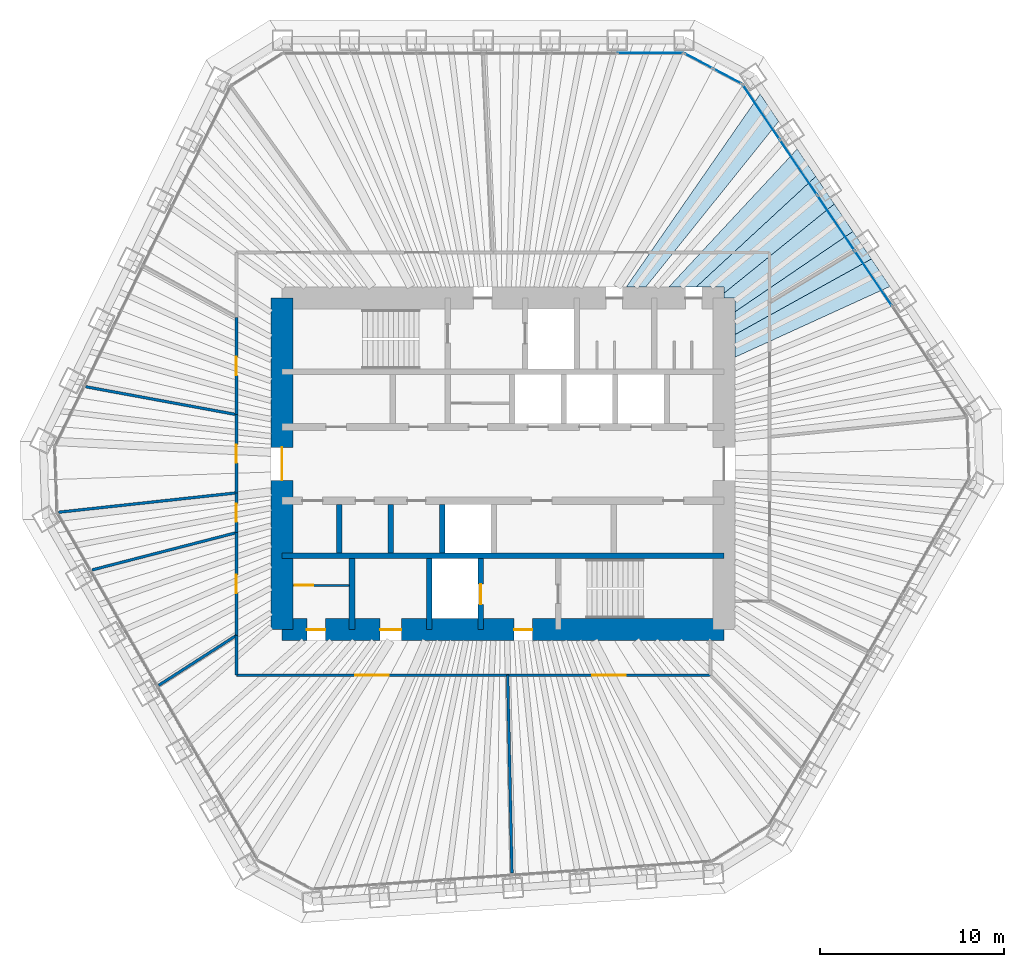
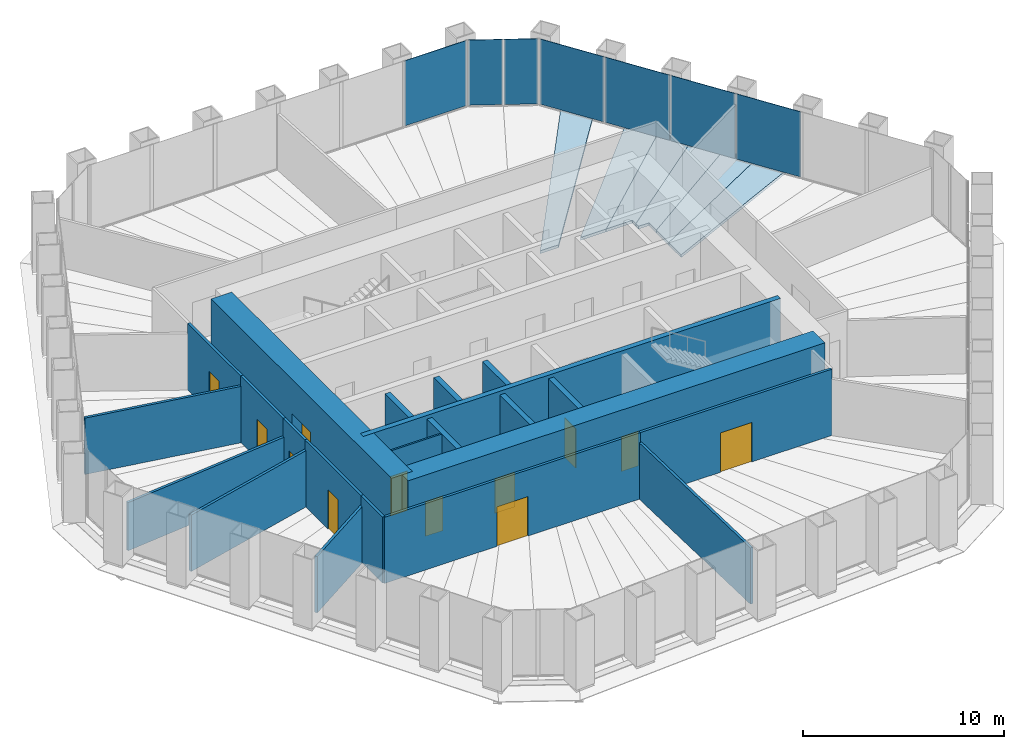
# One storey, part 10 of 13: 22 walls, 12 doors, 7 plates, 6 slabs, 12 openings, 3 elements without a shape of their own.
"""IFC4 building model written with IfcOpenShell, lengths in metres."""

from ifc_helpers import new_model, si_unit, direction, frame, frame_2d, origin, origin_2d, place, context, subcontext, project, spatial, polyline, rectangle, outline, extrude, material, layer, layer_set, type_object, element, fill, aggregate, save


model = new_model("IFC4")

# Units and contexts
model_context = context("Model", 3, precision=1e-05, world=origin(), true_north=direction((0.0, 1.0)))
body_context = subcontext(model_context, "Body", "Model", "MODEL_VIEW")
ifc_project = project(units=[si_unit("LENGTHUNIT", "METRE"), si_unit("AREAUNIT", "SQUARE_METRE"), si_unit("VOLUMEUNIT", "CUBIC_METRE"), si_unit("PLANEANGLEUNIT", "RADIAN"), si_unit("MASSUNIT", "GRAM", prefix="KILO")], contexts=[model_context])

# Site, building, storey
site_placement = place(None, origin())
site = spatial("IfcSite", under=ifc_project, at=site_placement, CompositionType="ELEMENT")
building_placement = place(site_placement, origin())
building = spatial("IfcBuilding", under=site, at=building_placement, Name="Qingtian Harvest Tower", CompositionType="ELEMENT")
storey_placement = place(building_placement, frame((0.0, 0.0, 218.199951171875)))
storey = spatial("IfcBuildingStorey", under=building, at=storey_placement, Name="L47", CompositionType="ELEMENT", Elevation=218.199951171875)

# Slabs
ifc_material_1 = material(Name="Concrete fc' 35 MPa", Category="concrete")
ifc_layer_1 = layer(ifc_material_1, 0.169921875)
ifc_layer_set_1 = layer_set([ifc_layer_1], Name="Composite floor slab FS17 170")
slab_type = type_object("IfcSlabType", Name="Composite floor slab FS17 170", PredefinedType="FLOOR", material=ifc_layer_set_1)
slab_1_placement = place(storey_placement, frame((0.0, 0.0, -0.169921875)))
element("IfcSlab", 1, at=slab_1_placement, inside=storey, type_object=slab_type, Name="Floor slab L47 panel D45", PredefinedType="FLOOR", context=body_context, shape_type="SweptSolid", body=[
    extrude(outline(polyline([(12.60009765625, 7.023681640625), (20.003662109375, 11.125244140625), (21.010986328125, 9.6318359375), (12.60009765625, 5.7900390625), (12.60009765625, 7.023681640625)])), origin(), (0.0, 0.0, 1.0), 0.169921875),
])
slab_2_placement = place(storey_placement, frame((0.0, 0.0, -0.169921875)))
element("IfcSlab", 2, at=slab_2_placement, inside=storey, type_object=slab_type, Name="Floor slab L47 panel D46", PredefinedType="FLOOR", context=body_context, shape_type="SweptSolid", body=[
    extrude(outline(polyline([(12.60009765625, 8.260498046875), (18.997802734375, 12.61669921875), (20.003662109375, 11.125244140625), (12.60009765625, 7.023681640625), (12.60009765625, 8.260498046875)])), origin(), (0.0, 0.0, 1.0), 0.169921875),
])
slab_3_placement = place(storey_placement, frame((0.0, 0.0, -0.169921875)))
element("IfcSlab", 3, at=slab_3_placement, inside=storey, type_object=slab_type, Name="Floor slab L47 panel D47", PredefinedType="FLOOR", context=body_context, shape_type="SweptSolid", body=[
    extrude(outline(polyline([(12.60009765625, 9.0), (12.0, 9.0), (12.0, 9.2666015625), (17.99072265625, 14.109375), (18.997802734375, 12.61669921875), (12.60009765625, 8.260498046875), (12.60009765625, 9.0)])), origin(), (0.0, 0.0, 1.0), 0.169921875),
])
slab_4_placement = place(storey_placement, frame((0.0, 0.0, -0.169921875)))
element("IfcSlab", 4, at=slab_4_placement, inside=storey, type_object=slab_type, Name="Floor slab L47 panel D48", PredefinedType="FLOOR", context=body_context, shape_type="SweptSolid", body=[
    extrude(outline(polyline([(12.0, 9.60009765625), (10.48583984375, 9.60009765625), (16.982177734375, 15.604736328125), (17.99072265625, 14.109375), (12.0, 9.2666015625), (12.0, 9.60009765625)])), origin(), (0.0, 0.0, 1.0), 0.169921875),
])
slab_5_placement = place(storey_placement, frame((0.0, 0.0, -0.169921875)))
element("IfcSlab", 5, at=slab_5_placement, inside=storey, type_object=slab_type, Name="Floor slab L47 panel D49", PredefinedType="FLOOR", context=body_context, shape_type="SweptSolid", body=[
    extrude(outline(polyline([(8.998291015625, 9.60009765625), (15.974853515625, 17.098388671875), (16.982177734375, 15.604736328125), (10.48583984375, 9.60009765625), (8.998291015625, 9.60009765625)])), origin(), (0.0, 0.0, 1.0), 0.169921875),
])
slab_6_placement = place(storey_placement, frame((0.0, 0.0, -0.169921875)))
element("IfcSlab", 6, at=slab_6_placement, inside=storey, type_object=slab_type, Name="Floor slab L47 panel D51", PredefinedType="FLOOR", context=body_context, shape_type="SweptSolid", body=[
    extrude(outline(polyline([(6.6904296875, 9.60009765625), (13.960205078125, 20.085205078125), (14.967529296875, 18.591796875), (7.751220703125, 9.60009765625), (6.6904296875, 9.60009765625)])), origin(), (0.0, 0.0, 1.0), 0.169921875),
])

# Curtain wall, plate
ifc_material_2 = material(Name="Bronze-anodised aluminium curtain wall", Category="aluminium")
curtain_wall_type = type_object("IfcCurtainWallType", Name="Curtain wall CW4 office", PredefinedType="USERDEFINED", material=ifc_material_2)
curtain_wall_1_placement = place(storey_placement, origin())
curtain_wall_1 = element("IfcCurtainWall", 7, at=curtain_wall_1_placement, inside=storey, type_object=curtain_wall_type, Name="Curtain wall CW4 L47 N0-5", ObjectType="RECESSED CURTAIN WALL", PredefinedType="USERDEFINED")
ifc_material_3 = material(Name="Bronze-tinted laminated insulating glass", Category="glass")
ifc_layer_2 = layer(ifc_material_3, 0.030029296875)
ifc_layer_set_2 = layer_set([ifc_layer_2], Name="Glazed panel CWP tinted IGU")
plate_type = type_object("IfcPlateType", Name="Glazed panel CWP tinted IGU", PredefinedType="CURTAIN_PANEL", material=ifc_layer_set_2)
plate_1_placement = place(storey_placement, frame((7.996337890625, 22.300048828125, 0.06494140625), z_axis=(0.0, 0.0, 1.0), x_axis=(1.0, 0.0, 0.0)))
plate_1 = element("IfcPlate", 8, at=plate_1_placement, type_object=plate_type, Name="CW4 panel 6.1", PredefinedType="CURTAIN_PANEL", context=body_context, shape_type="SweptSolid", body=[
    extrude(rectangle(XDim=3.5361328125, YDim=0.030029296875, at=origin_2d()), origin(), (0.0, 0.0, 1.0), 3.965087890625),
])
aggregate(curtain_wall_1, [plate_1])

# Curtain wall, plates
curtain_wall_2_placement = place(storey_placement, origin())
curtain_wall_2 = element("IfcCurtainWall", 9, at=curtain_wall_2_placement, inside=storey, type_object=curtain_wall_type, Name="Curtain wall CW4 L47 NC", ObjectType="RECESSED CURTAIN WALL", PredefinedType="USERDEFINED")
plate_2_placement = place(storey_placement, frame((10.634033203125, 21.8720703125, 0.06494140625), z_axis=(0.0, 0.0, 1.0), x_axis=(0.882947592859, -0.469471562786, 0.0)))
plate_2 = element("IfcPlate", 10, at=plate_2_placement, type_object=plate_type, Name="CW4 panel 1.1", PredefinedType="CURTAIN_PANEL", context=body_context, shape_type="SweptSolid", body=[
    extrude(rectangle(XDim=1.69287109375, YDim=0.030029296875, at=origin_2d()), origin(), (0.0, 0.0, 1.0), 3.965087890625),
])
plate_3_placement = place(storey_placement, frame((12.186279296875, 21.046875, 0.06494140625), z_axis=(0.0, 0.0, 1.0), x_axis=(0.882947592859, -0.469471562786, 0.0)))
plate_3 = element("IfcPlate", 11, at=plate_3_placement, type_object=plate_type, Name="CW4 panel 2.1", PredefinedType="CURTAIN_PANEL", context=body_context, shape_type="SweptSolid", body=[
    extrude(rectangle(XDim=1.69287109375, YDim=0.030029296875, at=origin_2d()), origin(), (0.0, 0.0, 1.0), 3.965087890625),
])
aggregate(curtain_wall_2, [plate_2, plate_3])

curtain_wall_3_placement = place(storey_placement, origin())
curtain_wall_3 = element("IfcCurtainWall", 12, at=curtain_wall_3_placement, inside=storey, type_object=curtain_wall_type, Name="Curtain wall CW4 L47 NE0-5", ObjectType="RECESSED CURTAIN WALL", PredefinedType="USERDEFINED")
plate_4_placement = place(storey_placement, frame((14.01611328125, 19.09912109375, 0.06494140625), z_axis=(0.0, 0.0, 1.0), x_axis=(0.559192903471, -0.829037572555, 0.0)))
plate_4 = element("IfcPlate", 13, at=plate_4_placement, type_object=plate_type, Name="CW4 panel 1.1", PredefinedType="CURTAIN_PANEL", context=body_context, shape_type="SweptSolid", body=[
    extrude(rectangle(XDim=3.5361328125, YDim=0.030029296875, at=origin_2d()), origin(), (0.0, 0.0, 1.0), 3.965087890625),
])
plate_5_placement = place(storey_placement, frame((16.038818359375, 16.100341796875, 0.06494140625), z_axis=(0.0, 0.0, 1.0), x_axis=(0.559192903471, -0.829037572555, 0.0)))
plate_5 = element("IfcPlate", 14, at=plate_5_placement, type_object=plate_type, Name="CW4 panel 2.1", PredefinedType="CURTAIN_PANEL", context=body_context, shape_type="SweptSolid", body=[
    extrude(rectangle(XDim=3.568603515625, YDim=0.030029296875, at=origin_2d()), origin(), (0.0, 0.0, 1.0), 3.965087890625),
])
plate_6_placement = place(storey_placement, frame((18.07080078125, 13.087890625, 0.06494140625), z_axis=(0.0, 0.0, 1.0), x_axis=(0.559192903471, -0.829037572555, 0.0)))
plate_6 = element("IfcPlate", 15, at=plate_6_placement, type_object=plate_type, Name="CW4 panel 3.1", PredefinedType="CURTAIN_PANEL", context=body_context, shape_type="SweptSolid", body=[
    extrude(rectangle(XDim=3.568603515625, YDim=0.030029296875, at=origin_2d()), origin(), (0.0, 0.0, 1.0), 3.965087890625),
])
plate_7_placement = place(storey_placement, frame((20.1025390625, 10.07568359375, 0.06494140625), z_axis=(0.0, 0.0, 1.0), x_axis=(0.559192903471, -0.829037572555, 0.0)))
plate_7 = element("IfcPlate", 16, at=plate_7_placement, type_object=plate_type, Name="CW4 panel 4.1", PredefinedType="CURTAIN_PANEL", context=body_context, shape_type="SweptSolid", body=[
    extrude(rectangle(XDim=3.568603515625, YDim=0.030029296875, at=origin_2d()), origin(), (0.0, 0.0, 1.0), 3.965087890625),
])
aggregate(curtain_wall_3, [plate_4, plate_5, plate_6, plate_7])

# Walls
ifc_material_4 = material(Name="Concrete fc' 70 MPa", Category="concrete")
ifc_layer_3 = layer(ifc_material_4, 0.300048828125)
ifc_layer_set_3 = layer_set([ifc_layer_3], Name="Core inner wall RC5 300")
wall_type_1 = type_object("IfcWallType", Name="Core inner wall RC5 300", PredefinedType="SHEAR", material=ifc_layer_set_3)
wall_1_placement = place(storey_placement, frame((-12.0, -5.0, 0.0), z_axis=(0.0, 0.0, 1.0), x_axis=(1.0, 0.0, 0.0)))
element("IfcWall", 17, at=wall_1_placement, inside=storey, type_object=wall_type_1, Name="Core wall IS5 L47", PredefinedType="SHEAR", context=body_context, shape_type="SweptSolid", body=[
    extrude(rectangle(XDim=24.0, YDim=0.300048828125, at=frame_2d((12.0, 0.0))), origin(), (0.0, 0.0, 1.0), 4.199951171875),
])
ifc_material_5 = material(Name="Precast concrete shaft panel", Category="concrete")
ifc_layer_4 = layer(ifc_material_5, 0.300048828125)
ifc_layer_set_4 = layer_set([ifc_layer_4], Name="Core shaft partition SW1 300")
wall_type_2 = type_object("IfcWallType", Name="Core shaft partition SW1 300", PredefinedType="PARTITIONING", material=ifc_layer_set_4)
for number, where, z_axis, x_axis, name in (
    (18, (-8.89990234375, -4.85009765625, 0.0), (0.0, 0.0, 1.0), (0.0, 1.0, 0.0), "Core shaft partition XB1 L47"),
    (19, (-6.10009765625, -4.85009765625, 0.0), (0.0, 0.0, 1.0), (0.0, 1.0, 0.0), "Core shaft partition XB2 L47"),
    (20, (-3.300048828125, -4.85009765625, 0.0), (0.0, 0.0, 1.0), (0.0, 1.0, 0.0), "Core shaft partition XB3 L47"),
):
    element("IfcWall", number, at=place(storey_placement, frame(where, z_axis=z_axis, x_axis=x_axis)), inside=storey, type_object=wall_type_2, Name=name, PredefinedType="PARTITIONING", context=body_context, shape_type="SweptSolid", body=[
        extrude(rectangle(XDim=2.650146484375, YDim=0.300048828125, at=frame_2d((1.3251953125, 0.0))), origin(), (0.0, 0.0, 1.0), 3.97998046875),
    ])
for number, where, z_axis, x_axis, name in (
    (21, (-8.199951171875, -9.0, 0.0), (0.0, 0.0, 1.0), (0.0, 1.0, 0.0), "Core shaft partition XS1 L47"),
    (22, (-4.0, -9.0, 0.0), (0.0, 0.0, 1.0), (0.0, 1.0, 0.0), "Core shaft partition XS2 L47"),
):
    element("IfcWall", number, at=place(storey_placement, frame(where, z_axis=z_axis, x_axis=x_axis)), inside=storey, type_object=wall_type_2, Name=name, PredefinedType="PARTITIONING", context=body_context, shape_type="SweptSolid", body=[
        extrude(rectangle(XDim=3.85009765625, YDim=0.300048828125, at=frame_2d((1.925048828125, 0.0))), origin(), (0.0, 0.0, 1.0), 3.97998046875),
    ])

# Wall, opening, door
wall_2_placement = place(storey_placement, frame((-1.199951171875, -9.0, 0.0), z_axis=(0.0, 0.0, 1.0), x_axis=(0.0, 1.0, 0.0)))
wall_2 = element("IfcWall", 23, at=wall_2_placement, inside=storey, type_object=wall_type_2, Name="Core shaft partition XS3 L47", PredefinedType="PARTITIONING", context=body_context, shape_type="SweptSolid", body=[
    extrude(rectangle(XDim=3.85009765625, YDim=0.300048828125, at=frame_2d((1.925048828125, 0.0))), origin(), (0.0, 0.0, 1.0), 3.97998046875),
])
opening_1_placement = place(wall_2_placement, frame((1.375, 0.0, 0.0)))
opening_1 = element("IfcOpeningElement", 24, at=opening_1_placement, cuts=wall_2, Name="Opening LD1", PredefinedType="OPENING", context=body_context, shape_type="SweptSolid", body=[
    extrude(rectangle(XDim=1.10009765625, YDim=2.39990234375, at=frame_2d((0.550048828125, 1.199951171875))), frame((0.0, 0.159912109375, 0.0), z_axis=(0.0, -1.0, 0.0), x_axis=(1.0, 0.0, 0.0)), (0.0, 0.0, 1.0), 0.320068359375),
])
ifc_material_6 = material(Name="Stainless steel lift landing door", Category="steel")
door_type_1 = type_object("IfcDoorType", Name="Lift landing door LD1 1 HR", OperationType="DOUBLE_DOOR_SLIDING", PredefinedType="DOOR", material=ifc_material_6)
door_1_placement = place(opening_1_placement, origin())
door_1 = element("IfcDoor", 25, at=door_1_placement, inside=storey, type_object=door_type_1, Name="FL2 landing door L47", OperationType="DOUBLE_DOOR_SLIDING", OverallHeight=2.39990234375, OverallWidth=1.10009765625, PredefinedType="DOOR", context=body_context, shape_type="SweptSolid", body=[
    extrude(rectangle(XDim=1.10009765625, YDim=2.39990234375, at=frame_2d((0.550048828125, 1.199951171875))), frame((0.0, 0.02490234375, 0.0), z_axis=(0.0, -1.0, 0.0), x_axis=(1.0, 0.0, 0.0)), (0.0, 0.0, 1.0), 0.050048828125),
])
fill(opening_1, door_1)

# Wall, openings, doors
ifc_material_7 = material(Name="Concrete fc' 70 MPa", Category="concrete")
ifc_layer_5 = layer(ifc_material_7, 1.199951171875)
ifc_layer_set_5 = layer_set([ifc_layer_5], Name="Core wall RC2 1200")
wall_type_3 = type_object("IfcWallType", Name="Core wall RC2 1200", PredefinedType="SHEAR", material=ifc_layer_set_5)
wall_3_placement = place(storey_placement, frame((-12.0, -9.0, 0.0), z_axis=(0.0, 0.0, 1.0), x_axis=(1.0, 0.0, 0.0)))
wall_3 = element("IfcWall", 26, at=wall_3_placement, inside=storey, type_object=wall_type_3, Name="Core wall CS L47", PredefinedType="SHEAR", context=body_context, shape_type="SweptSolid", body=[
    extrude(rectangle(XDim=24.0, YDim=1.199951171875, at=frame_2d((12.0, 0.0))), origin(), (0.0, 0.0, 1.0), 4.199951171875),
])
opening_2_placement = place(wall_3_placement, frame((1.35009765625, 0.0, 0.0)))
opening_2 = element("IfcOpeningElement", 27, at=opening_2_placement, cuts=wall_3, Name="Opening FD1", PredefinedType="OPENING", context=body_context, shape_type="SweptSolid", body=[
    extrude(rectangle(XDim=1.0, YDim=2.10009765625, at=frame_2d((0.5, 1.050048828125))), frame((0.0, 0.60986328125, 0.0), z_axis=(0.0, -1.0, 0.0), x_axis=(1.0, 0.0, 0.0)), (0.0, 0.0, 1.0), 1.219970703125),
])
opening_3_placement = place(wall_3_placement, frame((5.324951171875, 0.0, 0.0)))
opening_3 = element("IfcOpeningElement", 28, at=opening_3_placement, cuts=wall_3, Name="Opening AD1", PredefinedType="OPENING", context=body_context, shape_type="SweptSolid", body=[
    extrude(rectangle(XDim=1.14990234375, YDim=2.10009765625, at=frame_2d((0.574951171875, 1.050048828125))), frame((0.0, 0.60986328125, 0.0), z_axis=(0.0, -1.0, 0.0), x_axis=(1.0, 0.0, 0.0)), (0.0, 0.0, 1.0), 1.219970703125),
])
opening_4_placement = place(wall_3_placement, frame((12.60009765625, 0.0, 0.0)))
opening_4 = element("IfcOpeningElement", 29, at=opening_4_placement, cuts=wall_3, Name="Opening FD1", PredefinedType="OPENING", context=body_context, shape_type="SweptSolid", body=[
    extrude(rectangle(XDim=1.0, YDim=2.10009765625, at=frame_2d((0.5, 1.050048828125))), frame((0.0, 0.60986328125, 0.0), z_axis=(0.0, -1.0, 0.0), x_axis=(1.0, 0.0, 0.0)), (0.0, 0.0, 1.0), 1.219970703125),
])
ifc_material_8 = material(Name="Laminated timber door leaf", Category="wood")
door_type_2 = type_object("IfcDoorType", Name="Accessible WC door AD1 single", OperationType="SINGLE_SWING_LEFT", PredefinedType="DOOR", material=ifc_material_8)
door_2_placement = place(opening_3_placement, origin())
door_2 = element("IfcDoor", 30, at=door_2_placement, inside=storey, type_object=door_type_2, Name="AWC door L47", OperationType="SINGLE_SWING_LEFT", OverallHeight=2.10009765625, OverallWidth=1.14990234375, PredefinedType="DOOR", context=body_context, shape_type="SweptSolid", body=[
    extrude(rectangle(XDim=1.14990234375, YDim=2.10009765625, at=frame_2d((0.574951171875, 1.050048828125))), frame((0.0, 0.02490234375, 0.0), z_axis=(0.0, -1.0, 0.0), x_axis=(1.0, 0.0, 0.0)), (0.0, 0.0, 1.0), 0.050048828125),
])
fill(opening_3, door_2)
ifc_material_9 = material(Name="Steel-faced door leaf", Category="steel")
door_type_3 = type_object("IfcDoorType", Name="Fire door FD1 single 1 HR", OperationType="SINGLE_SWING_LEFT", PredefinedType="DOOR", material=ifc_material_9)
door_3_placement = place(opening_2_placement, origin())
door_3 = element("IfcDoor", 31, at=door_3_placement, inside=storey, type_object=door_type_3, Name="CLN door L47", OperationType="SINGLE_SWING_LEFT", OverallHeight=2.10009765625, OverallWidth=1.0, PredefinedType="DOOR", context=body_context, shape_type="SweptSolid", body=[
    extrude(rectangle(XDim=1.0, YDim=2.10009765625, at=frame_2d((0.5, 1.050048828125))), frame((0.0, 0.02490234375, 0.0), z_axis=(0.0, -1.0, 0.0), x_axis=(1.0, 0.0, 0.0)), (0.0, 0.0, 1.0), 0.050048828125),
])
fill(opening_2, door_3)
door_4_placement = place(opening_4_placement, origin())
door_4 = element("IfcDoor", 32, at=door_4_placement, inside=storey, type_object=door_type_3, Name="V2 door L47", OperationType="SINGLE_SWING_LEFT", OverallHeight=2.10009765625, OverallWidth=1.0, PredefinedType="DOOR", context=body_context, shape_type="SweptSolid", body=[
    extrude(rectangle(XDim=1.0, YDim=2.10009765625, at=frame_2d((0.5, 1.050048828125))), frame((0.0, 0.02490234375, 0.0), z_axis=(0.0, -1.0, 0.0), x_axis=(1.0, 0.0, 0.0)), (0.0, 0.0, 1.0), 0.050048828125),
])
fill(opening_4, door_4)

# Wall, opening, door
wall_4_placement = place(storey_placement, frame((-12.0, -9.0, 0.0), z_axis=(0.0, 0.0, 1.0), x_axis=(0.0, 1.0, 0.0)))
wall_4 = element("IfcWall", 33, at=wall_4_placement, inside=storey, type_object=wall_type_3, Name="Core wall CW L47", PredefinedType="SHEAR", context=body_context, shape_type="SweptSolid", body=[
    extrude(rectangle(XDim=18.0, YDim=1.199951171875, at=frame_2d((9.0, 0.0))), origin(), (0.0, 0.0, 1.0), 4.199951171875),
])
opening_5_placement = place(wall_4_placement, frame((8.10009765625, 0.0, 0.0)))
opening_5 = element("IfcOpeningElement", 34, at=opening_5_placement, cuts=wall_4, Name="Opening FD2", PredefinedType="OPENING", context=body_context, shape_type="SweptSolid", body=[
    extrude(rectangle(XDim=1.800048828125, YDim=2.10009765625, at=frame_2d((0.89990234375, 1.050048828125))), frame((0.0, 0.60986328125, 0.0), z_axis=(0.0, -1.0, 0.0), x_axis=(1.0, 0.0, 0.0)), (0.0, 0.0, 1.0), 1.219970703125),
])
ifc_material_10 = material(Name="Steel-faced door leaf", Category="steel")
door_type_4 = type_object("IfcDoorType", Name="Fire door FD2 double 1 HR", OperationType="DOUBLE_DOOR_DOUBLE_SWING", PredefinedType="DOOR", material=ifc_material_10)
door_5_placement = place(opening_5_placement, origin())
door_5 = element("IfcDoor", 35, at=door_5_placement, inside=storey, type_object=door_type_4, Name="LOBBY-W door L47", OperationType="DOUBLE_DOOR_DOUBLE_SWING", OverallHeight=2.10009765625, OverallWidth=1.800048828125, PredefinedType="DOOR", context=body_context, shape_type="SweptSolid", body=[
    extrude(rectangle(XDim=1.800048828125, YDim=2.10009765625, at=frame_2d((0.89990234375, 1.050048828125))), frame((0.0, 0.02490234375, 0.0), z_axis=(0.0, -1.0, 0.0), x_axis=(1.0, 0.0, 0.0)), (0.0, 0.0, 1.0), 0.050048828125),
])
fill(opening_5, door_5)

ifc_material_11 = material(Name="Gypsum board on steel studs", Category="steel")
ifc_layer_6 = layer(ifc_material_11, 0.14990234375)
ifc_layer_set_6 = layer_set([ifc_layer_6], Name="Partition PT1 150")
wall_type_4 = type_object("IfcWallType", Name="Partition PT1 150", PredefinedType="PARTITIONING", material=ifc_layer_set_6)
wall_5_placement = place(storey_placement, frame((11.265625, -11.47509765625, 0.0), z_axis=(0.0, 0.0, 1.0), x_axis=(-1.0, 0.0, 0.0)))
wall_5 = element("IfcWall", 36, at=wall_5_placement, inside=storey, type_object=wall_type_4, Name="Cafe wall L47", PredefinedType="PARTITIONING", context=body_context, shape_type="SweptSolid", body=[
    extrude(rectangle(XDim=11.015380859375, YDim=0.14990234375, at=frame_2d((5.5078125, 0.0))), origin(), (0.0, 0.0, 1.0), 4.030029296875),
])
opening_6_placement = place(wall_5_placement, frame((4.607666015625, 0.0, 0.0)))
opening_6 = element("IfcOpeningElement", 37, at=opening_6_placement, cuts=wall_5, Name="Opening D3", PredefinedType="OPENING", context=body_context, shape_type="SweptSolid", body=[
    extrude(rectangle(XDim=1.800048828125, YDim=2.39990234375, at=frame_2d((0.89990234375, 1.199951171875))), frame((0.0, 0.0849609375, 0.0), z_axis=(0.0, -1.0, 0.0), x_axis=(1.0, 0.0, 0.0)), (0.0, 0.0, 1.0), 0.169921875),
])
ifc_material_12 = material(Name="Laminated timber door leaf", Category="wood")
door_type_5 = type_object("IfcDoorType", Name="Room door D3 double", OperationType="DOUBLE_DOOR_DOUBLE_SWING", PredefinedType="DOOR", material=ifc_material_12)
door_6_placement = place(opening_6_placement, origin())
door_6 = element("IfcDoor", 38, at=door_6_placement, inside=storey, type_object=door_type_5, Name="Cafe door L47", OperationType="DOUBLE_DOOR_DOUBLE_SWING", OverallHeight=2.39990234375, OverallWidth=1.800048828125, PredefinedType="DOOR", context=body_context, shape_type="SweptSolid", body=[
    extrude(rectangle(XDim=1.800048828125, YDim=2.39990234375, at=frame_2d((0.89990234375, 1.199951171875))), frame((0.0, 0.02490234375, 0.0), z_axis=(0.0, -1.0, 0.0), x_axis=(1.0, 0.0, 0.0)), (0.0, 0.0, 1.0), 0.050048828125),
])
fill(opening_6, door_6)

# Wall
wall_6_placement = place(storey_placement, frame((0.484619140625, -22.220458984375, 0.0), z_axis=(0.0, 0.0, 1.0), x_axis=(-0.021806550804, 0.999762208899, 0.0)))
element("IfcWall", 39, at=wall_6_placement, inside=storey, type_object=wall_type_4, Name="Office suite wall L47", PredefinedType="PARTITIONING", context=body_context, shape_type="SweptSolid", body=[
    extrude(rectangle(XDim=10.747802734375, YDim=0.14990234375, at=frame_2d((5.3740234375, 0.0))), origin(), (0.0, 0.0, 1.0), 3.429931640625),
])

# Wall, opening, door
wall_7_placement = place(storey_placement, frame((0.250244140625, -11.47509765625, 0.0), z_axis=(0.0, 0.0, 1.0), x_axis=(-1.0, 0.0, 0.0)))
wall_7 = element("IfcWall", 40, at=wall_7_placement, inside=storey, type_object=wall_type_4, Name="Office suite wall L47", PredefinedType="PARTITIONING", context=body_context, shape_type="SweptSolid", body=[
    extrude(rectangle(XDim=14.725341796875, YDim=0.14990234375, at=frame_2d((7.36279296875, 0.0))), origin(), (0.0, 0.0, 1.0), 4.030029296875),
])
opening_7_placement = place(wall_7_placement, frame((6.462646484375, 0.0, 0.0)))
opening_7 = element("IfcOpeningElement", 41, at=opening_7_placement, cuts=wall_7, Name="Opening D3", PredefinedType="OPENING", context=body_context, shape_type="SweptSolid", body=[
    extrude(rectangle(XDim=1.800048828125, YDim=2.39990234375, at=frame_2d((0.89990234375, 1.199951171875))), frame((0.0, 0.0849609375, 0.0), z_axis=(0.0, -1.0, 0.0), x_axis=(1.0, 0.0, 0.0)), (0.0, 0.0, 1.0), 0.169921875),
])
door_7_placement = place(opening_7_placement, origin())
door_7 = element("IfcDoor", 42, at=door_7_placement, inside=storey, type_object=door_type_5, Name="Office suite door L47", OperationType="DOUBLE_DOOR_DOUBLE_SWING", OverallHeight=2.39990234375, OverallWidth=1.800048828125, PredefinedType="DOOR", context=body_context, shape_type="SweptSolid", body=[
    extrude(rectangle(XDim=1.800048828125, YDim=2.39990234375, at=frame_2d((0.89990234375, 1.199951171875))), frame((0.0, 0.02490234375, 0.0), z_axis=(0.0, -1.0, 0.0), x_axis=(1.0, 0.0, 0.0)), (0.0, 0.0, 1.0), 0.050048828125),
])
fill(opening_7, door_7)

# Walls
wall_8_placement = place(storey_placement, frame((-14.47509765625, -11.47509765625, 0.0), z_axis=(0.0, 0.0, 1.0), x_axis=(0.0, 1.0, 0.0)))
element("IfcWall", 43, at=wall_8_placement, inside=storey, type_object=wall_type_4, Name="Office suite wall L47", PredefinedType="PARTITIONING", context=body_context, shape_type="SweptSolid", body=[
    extrude(rectangle(XDim=2.164306640625, YDim=0.14990234375, at=frame_2d((1.08203125, 0.0))), origin(), (0.0, 0.0, 1.0), 4.030029296875),
])
wall_9_placement = place(storey_placement, frame((-18.692626953125, -12.023681640625, 0.0), z_axis=(0.0, 0.0, 1.0), x_axis=(0.841031335058, 0.540986407824, 0.0)))
element("IfcWall", 44, at=wall_9_placement, inside=storey, type_object=wall_type_4, Name="Pantry wall L47", PredefinedType="PARTITIONING", context=body_context, shape_type="SweptSolid", body=[
    extrude(rectangle(XDim=5.0146484375, YDim=0.14990234375, at=frame_2d((2.50732421875, 0.0))), origin(), (0.0, 0.0, 1.0), 3.429931640625),
])

# Wall, opening, door
wall_10_placement = place(storey_placement, frame((-14.47509765625, -9.310791015625, 0.0), z_axis=(0.0, 0.0, 1.0), x_axis=(0.0, 1.0, 0.0)))
wall_10 = element("IfcWall", 45, at=wall_10_placement, inside=storey, type_object=wall_type_4, Name="Pantry wall L47", PredefinedType="PARTITIONING", context=body_context, shape_type="SweptSolid", body=[
    extrude(rectangle(XDim=5.57470703125, YDim=0.14990234375, at=frame_2d((2.787353515625, 0.0))), origin(), (0.0, 0.0, 1.0), 4.030029296875),
])
opening_8_placement = place(wall_10_placement, frame((2.287353515625, 0.0, 0.0)))
opening_8 = element("IfcOpeningElement", 46, at=opening_8_placement, cuts=wall_10, Name="Opening D2", PredefinedType="OPENING", context=body_context, shape_type="SweptSolid", body=[
    extrude(rectangle(XDim=1.0, YDim=2.39990234375, at=frame_2d((0.5, 1.199951171875))), frame((0.0, 0.0849609375, 0.0), z_axis=(0.0, -1.0, 0.0), x_axis=(1.0, 0.0, 0.0)), (0.0, 0.0, 1.0), 0.169921875),
])
ifc_material_13 = material(Name="Laminated timber door leaf", Category="wood")
door_type_6 = type_object("IfcDoorType", Name="Room door D2 single", OperationType="SINGLE_SWING_LEFT", PredefinedType="DOOR", material=ifc_material_13)
door_8_placement = place(opening_8_placement, origin())
door_8 = element("IfcDoor", 47, at=door_8_placement, inside=storey, type_object=door_type_6, Name="Pantry door L47", OperationType="SINGLE_SWING_LEFT", OverallHeight=2.39990234375, OverallWidth=1.0, PredefinedType="DOOR", context=body_context, shape_type="SweptSolid", body=[
    extrude(rectangle(XDim=1.0, YDim=2.39990234375, at=frame_2d((0.5, 1.199951171875))), frame((0.0, 0.02490234375, 0.0), z_axis=(0.0, -1.0, 0.0), x_axis=(1.0, 0.0, 0.0)), (0.0, 0.0, 1.0), 0.050048828125),
])
fill(opening_8, door_8)

# Wall
wall_11_placement = place(storey_placement, frame((-22.3134765625, -5.75927734375, 0.0), z_axis=(0.0, 0.0, 1.0), x_axis=(0.968265788926, 0.249922712042, 0.0)))
element("IfcWall", 48, at=wall_11_placement, inside=storey, type_object=wall_type_4, Name="Print room wall L47", PredefinedType="PARTITIONING", context=body_context, shape_type="SweptSolid", body=[
    extrude(rectangle(XDim=8.09521484375, YDim=0.14990234375, at=frame_2d((4.047607421875, 0.0))), origin(), (0.0, 0.0, 1.0), 3.429931640625),
])

# Wall, opening, door
wall_12_placement = place(storey_placement, frame((-14.47509765625, -3.736083984375, 0.0), z_axis=(0.0, 0.0, 1.0), x_axis=(0.0, 1.0, 0.0)))
wall_12 = element("IfcWall", 49, at=wall_12_placement, inside=storey, type_object=wall_type_4, Name="Print room wall L47", PredefinedType="PARTITIONING", context=body_context, shape_type="SweptSolid", body=[
    extrude(rectangle(XDim=2.16015625, YDim=0.14990234375, at=frame_2d((1.080078125, 0.0))), origin(), (0.0, 0.0, 1.0), 4.030029296875),
])
opening_9_placement = place(wall_12_placement, frame((0.580078125, 0.0, 0.0)))
opening_9 = element("IfcOpeningElement", 50, at=opening_9_placement, cuts=wall_12, Name="Opening D2", PredefinedType="OPENING", context=body_context, shape_type="SweptSolid", body=[
    extrude(rectangle(XDim=1.0, YDim=2.39990234375, at=frame_2d((0.5, 1.199951171875))), frame((0.0, 0.0849609375, 0.0), z_axis=(0.0, -1.0, 0.0), x_axis=(1.0, 0.0, 0.0)), (0.0, 0.0, 1.0), 0.169921875),
])
door_9_placement = place(opening_9_placement, origin())
door_9 = element("IfcDoor", 51, at=door_9_placement, inside=storey, type_object=door_type_6, Name="Print room door L47", OperationType="SINGLE_SWING_LEFT", OverallHeight=2.39990234375, OverallWidth=1.0, PredefinedType="DOOR", context=body_context, shape_type="SweptSolid", body=[
    extrude(rectangle(XDim=1.0, YDim=2.39990234375, at=frame_2d((0.5, 1.199951171875))), frame((0.0, 0.02490234375, 0.0), z_axis=(0.0, -1.0, 0.0), x_axis=(1.0, 0.0, 0.0)), (0.0, 0.0, 1.0), 0.050048828125),
])
fill(opening_9, door_9)

# Wall
wall_13_placement = place(storey_placement, frame((-24.127685546875, -2.626708984375, 0.0), z_axis=(0.0, 0.0, 1.0), x_axis=(0.994126892449, 0.108220708326, 0.0)))
element("IfcWall", 52, at=wall_13_placement, inside=storey, type_object=wall_type_4, Name="Store room wall L47", PredefinedType="PARTITIONING", context=body_context, shape_type="SweptSolid", body=[
    extrude(rectangle(XDim=9.709716796875, YDim=0.14990234375, at=frame_2d((4.85498046875, 0.0))), origin(), (0.0, 0.0, 1.0), 2.929931640625),
])

# Wall, opening, door
wall_14_placement = place(storey_placement, frame((-14.47509765625, -1.575927734375, 0.0), z_axis=(0.0, 0.0, 1.0), x_axis=(0.0, 1.0, 0.0)))
wall_14 = element("IfcWall", 53, at=wall_14_placement, inside=storey, type_object=wall_type_4, Name="Store room wall L47", PredefinedType="PARTITIONING", context=body_context, shape_type="SweptSolid", body=[
    extrude(rectangle(XDim=4.251708984375, YDim=0.14990234375, at=frame_2d((2.1259765625, 0.0))), origin(), (0.0, 0.0, 1.0), 4.030029296875),
])
opening_10_placement = place(wall_14_placement, frame((1.625732421875, 0.0, 0.0)))
opening_10 = element("IfcOpeningElement", 54, at=opening_10_placement, cuts=wall_14, Name="Opening D2", PredefinedType="OPENING", context=body_context, shape_type="SweptSolid", body=[
    extrude(rectangle(XDim=1.0, YDim=2.39990234375, at=frame_2d((0.5, 1.199951171875))), frame((0.0, 0.0849609375, 0.0), z_axis=(0.0, -1.0, 0.0), x_axis=(1.0, 0.0, 0.0)), (0.0, 0.0, 1.0), 0.169921875),
])
door_10_placement = place(opening_10_placement, origin())
door_10 = element("IfcDoor", 55, at=door_10_placement, inside=storey, type_object=door_type_6, Name="Store room door L47", OperationType="SINGLE_SWING_LEFT", OverallHeight=2.39990234375, OverallWidth=1.0, PredefinedType="DOOR", context=body_context, shape_type="SweptSolid", body=[
    extrude(rectangle(XDim=1.0, YDim=2.39990234375, at=frame_2d((0.5, 1.199951171875))), frame((0.0, 0.02490234375, 0.0), z_axis=(0.0, -1.0, 0.0), x_axis=(1.0, 0.0, 0.0)), (0.0, 0.0, 1.0), 0.050048828125),
])
fill(opening_10, door_10)

# Wall
wall_15_placement = place(storey_placement, frame((-22.660888671875, 4.188720703125, 0.0), z_axis=(0.0, 0.0, 1.0), x_axis=(0.983345347199, -0.181746879316, 0.0)))
element("IfcWall", 56, at=wall_15_placement, inside=storey, type_object=wall_type_4, Name="Meeting room wall L47", PredefinedType="PARTITIONING", context=body_context, shape_type="SweptSolid", body=[
    extrude(rectangle(XDim=8.324462890625, YDim=0.14990234375, at=frame_2d((4.162109375, 0.0))), origin(), (0.0, 0.0, 1.0), 3.429931640625),
])

# Wall, opening, door
wall_16_placement = place(storey_placement, frame((-14.47509765625, 2.67578125, 0.0), z_axis=(0.0, 0.0, 1.0), x_axis=(0.0, 1.0, 0.0)))
wall_16 = element("IfcWall", 57, at=wall_16_placement, inside=storey, type_object=wall_type_4, Name="Meeting room wall L47", PredefinedType="PARTITIONING", context=body_context, shape_type="SweptSolid", body=[
    extrude(rectangle(XDim=5.265625, YDim=0.14990234375, at=frame_2d((2.6328125, 0.0))), origin(), (0.0, 0.0, 1.0), 4.030029296875),
])
opening_11_placement = place(wall_16_placement, frame((2.1328125, 0.0, 0.0)))
opening_11 = element("IfcOpeningElement", 58, at=opening_11_placement, cuts=wall_16, Name="Opening D2", PredefinedType="OPENING", context=body_context, shape_type="SweptSolid", body=[
    extrude(rectangle(XDim=1.0, YDim=2.39990234375, at=frame_2d((0.5, 1.199951171875))), frame((0.0, 0.0849609375, 0.0), z_axis=(0.0, -1.0, 0.0), x_axis=(1.0, 0.0, 0.0)), (0.0, 0.0, 1.0), 0.169921875),
])
door_11_placement = place(opening_11_placement, origin())
door_11 = element("IfcDoor", 59, at=door_11_placement, inside=storey, type_object=door_type_6, Name="Meeting room door L47", OperationType="SINGLE_SWING_LEFT", OverallHeight=2.39990234375, OverallWidth=1.0, PredefinedType="DOOR", context=body_context, shape_type="SweptSolid", body=[
    extrude(rectangle(XDim=1.0, YDim=2.39990234375, at=frame_2d((0.5, 1.199951171875))), frame((0.0, 0.02490234375, 0.0), z_axis=(0.0, -1.0, 0.0), x_axis=(1.0, 0.0, 0.0)), (0.0, 0.0, 1.0), 0.050048828125),
])
fill(opening_11, door_11)

ifc_material_14 = material(Name="Concrete block partition", Category="concrete")
ifc_layer_7 = layer(ifc_material_14, 0.10009765625)
ifc_layer_set_7 = layer_set([ifc_layer_7], Name="Store partition PT3 100")
wall_type_5 = type_object("IfcWallType", Name="Store partition PT3 100", PredefinedType="PARTITIONING", material=ifc_layer_set_7)
wall_17_placement = place(storey_placement, frame((-11.39990234375, -6.60009765625, 0.0), z_axis=(0.0, 0.0, 1.0), x_axis=(1.0, 0.0, 0.0)))
wall_17 = element("IfcWall", 60, at=wall_17_placement, inside=storey, type_object=wall_type_5, Name="Waste store wall L47", PredefinedType="PARTITIONING", context=body_context, shape_type="SweptSolid", body=[
    extrude(rectangle(XDim=3.0498046875, YDim=0.10009765625, at=frame_2d((1.52490234375, 0.0))), origin(), (0.0, 0.0, 1.0), 3.97998046875),
])
opening_12_placement = place(wall_17_placement, frame((0.10009765625, 0.0, 0.0)))
opening_12 = element("IfcOpeningElement", 61, at=opening_12_placement, cuts=wall_17, Name="Opening D2", PredefinedType="OPENING", context=body_context, shape_type="SweptSolid", body=[
    extrude(rectangle(XDim=1.0, YDim=2.39990234375, at=frame_2d((0.5, 1.199951171875))), frame((0.0, 0.06005859375, 0.0), z_axis=(0.0, -1.0, 0.0), x_axis=(1.0, 0.0, 0.0)), (0.0, 0.0, 1.0), 0.1201171875),
])
door_12_placement = place(opening_12_placement, origin())
door_12 = element("IfcDoor", 62, at=door_12_placement, inside=storey, type_object=door_type_6, Name="Waste store door L47", OperationType="SINGLE_SWING_RIGHT", OverallHeight=2.39990234375, OverallWidth=1.0, PredefinedType="DOOR", context=body_context, shape_type="SweptSolid", body=[
    extrude(rectangle(XDim=1.0, YDim=2.39990234375, at=frame_2d((0.5, 1.199951171875))), frame((0.0, 0.02490234375, 0.0), z_axis=(0.0, -1.0, 0.0), x_axis=(1.0, 0.0, 0.0)), (0.0, 0.0, 1.0), 0.050048828125),
])
fill(opening_12, door_12)

save(model, "model.ifc")
